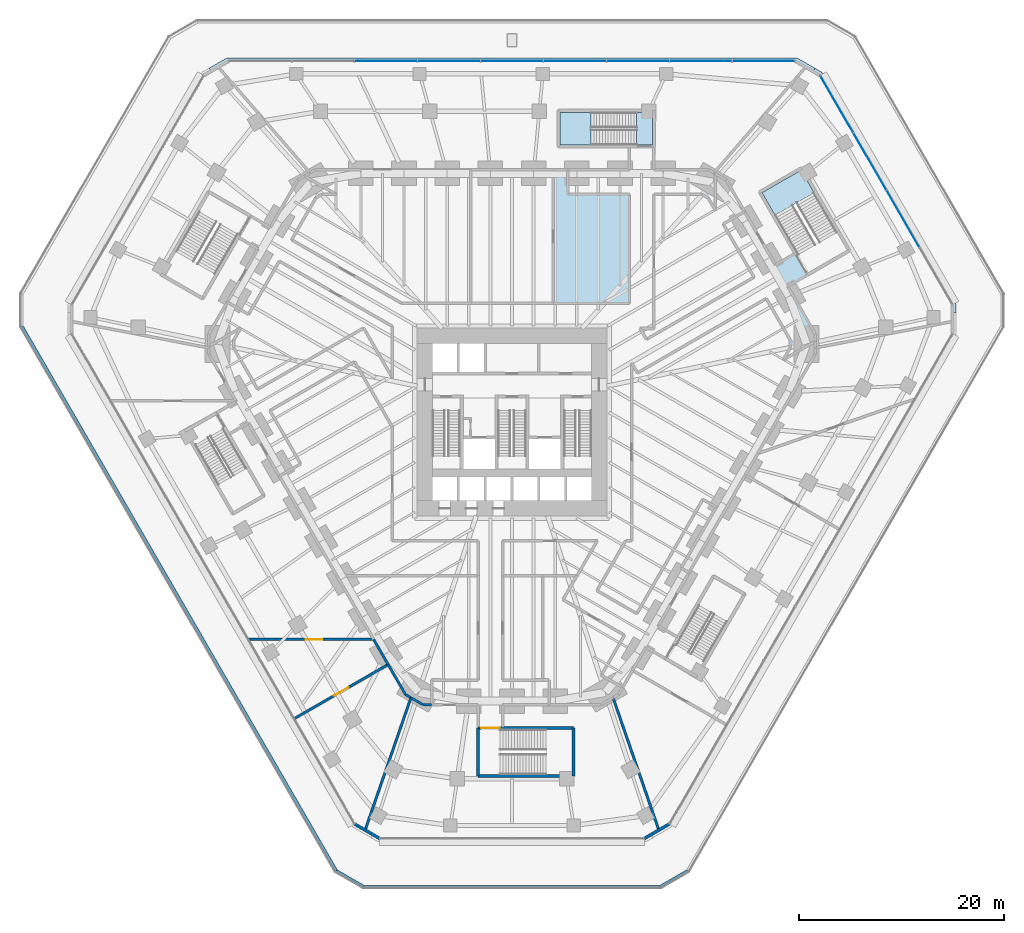
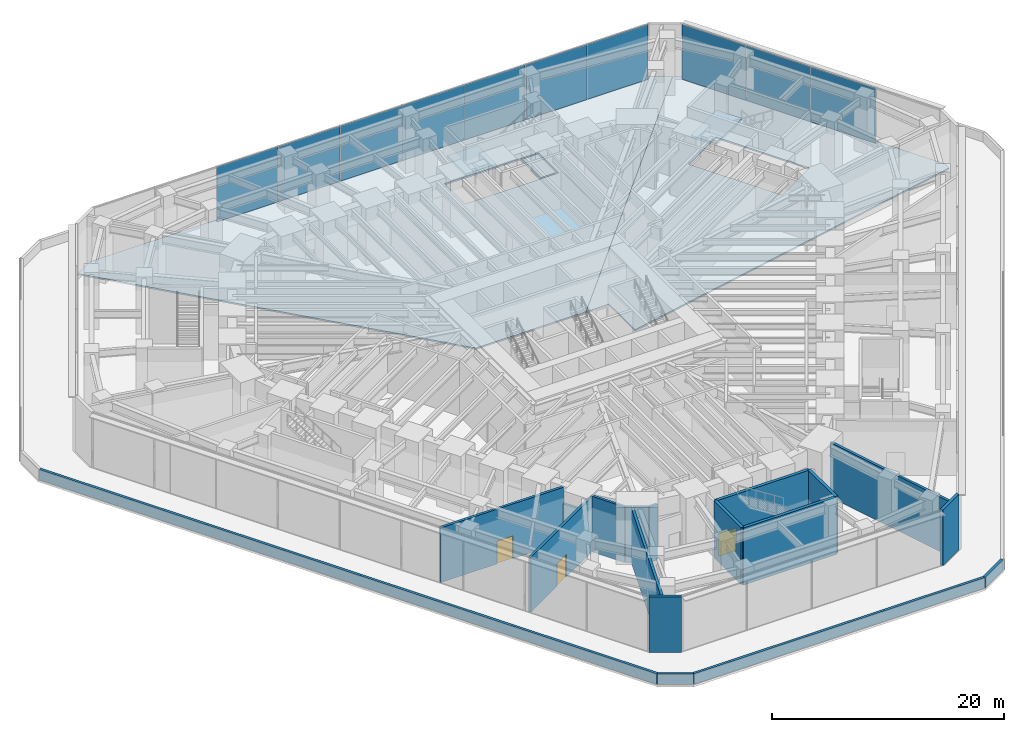
# One storey, part 14 of 25: 19 walls, 10 plates, 5 slabs, 3 doors, 3 openings, 4 elements without a shape of their own.
"""IFC4 building model written with IfcOpenShell, lengths in metres."""

from ifc_helpers import new_model, si_unit, direction, frame, frame_2d, origin, origin_2d, place, context, subcontext, project, spatial, polyline, rectangle, outline, extrude, material, layer, layer_set, type_object, element, fill, aggregate, save


model = new_model("IFC4")

# Units and contexts
model_context = context("Model", 3, precision=1e-05, world=origin(), true_north=direction((0.0, 1.0)))
body_context = subcontext(model_context, "Body", "Model", "MODEL_VIEW")
ifc_project = project(units=[si_unit("LENGTHUNIT", "METRE"), si_unit("AREAUNIT", "SQUARE_METRE"), si_unit("VOLUMEUNIT", "CUBIC_METRE"), si_unit("PLANEANGLEUNIT", "RADIAN"), si_unit("MASSUNIT", "GRAM", prefix="KILO")], contexts=[model_context])

# Site, building, storey
site_placement = place(None, origin())
site = spatial("IfcSite", under=ifc_project, at=site_placement, CompositionType="ELEMENT")
building_placement = place(site_placement, origin())
building = spatial("IfcBuilding", under=site, at=building_placement, Name="Sandreach Pilgrim Tower", CompositionType="ELEMENT")
storey_placement = place(building_placement, frame((0.0, 0.0, 6.0)))
storey = spatial("IfcBuildingStorey", under=building, at=storey_placement, Name="L01", CompositionType="ELEMENT", Elevation=6.0)

# Curtain wall, plates
ifc_material_1 = material(Name="Aluminium framed curtain wall", Category="aluminium")
curtain_wall_type = type_object("IfcCurtainWallType", Name="Podium storefront curtain wall", PredefinedType="NOTDEFINED", material=ifc_material_1)
curtain_wall_1_placement = place(storey_placement, origin())
curtain_wall_1 = element("IfcCurtainWall", 1, at=curtain_wall_1_placement, inside=storey, type_object=curtain_wall_type, Name="CW-P L01 N", PredefinedType="NOTDEFINED")
ifc_material_2 = material(Name="Laminated safety insulating glass unit 10.76 laminated + 16 argon + 10.76 laminated", Category="glass")
ifc_layer_1 = layer(ifc_material_2, 0.0380859375)
ifc_layer_set_1 = layer_set([ifc_layer_1], Name="CW-P panel")
plate_type = type_object("IfcPlateType", Name="CW-P panel", PredefinedType="CURTAIN_PANEL", material=ifc_layer_set_1)
plate_1_placement = place(storey_placement, frame((-12.271240234375, 33.648193359375, 0.0), z_axis=(0.0, 0.0, 1.0), x_axis=(1.0, 0.0, 0.0)))
plate_1 = element("IfcPlate", 2, at=plate_1_placement, type_object=plate_type, Name="CW-P panel 3", PredefinedType="CURTAIN_PANEL", context=body_context, shape_type="SweptSolid", body=[
    extrude(rectangle(XDim=6.065673828125, YDim=0.0380859375, at=origin_2d()), origin(), (0.0, 0.0, 1.0), 5.77001953125),
])
plate_2_placement = place(storey_placement, frame((-6.135498046875, 33.648193359375, 0.0), z_axis=(0.0, 0.0, 1.0), x_axis=(1.0, 0.0, 0.0)))
plate_2 = element("IfcPlate", 3, at=plate_2_placement, type_object=plate_type, Name="CW-P panel 4", PredefinedType="CURTAIN_PANEL", context=body_context, shape_type="SweptSolid", body=[
    extrude(rectangle(XDim=6.065673828125, YDim=0.0380859375, at=origin_2d()), origin(), (0.0, 0.0, 1.0), 5.77001953125),
])
plate_3_placement = place(storey_placement, frame((0.0, 33.648193359375, 0.0), z_axis=(0.0, 0.0, 1.0), x_axis=(1.0, 0.0, 0.0)))
plate_3 = element("IfcPlate", 4, at=plate_3_placement, type_object=plate_type, Name="CW-P panel 5", PredefinedType="CURTAIN_PANEL", context=body_context, shape_type="SweptSolid", body=[
    extrude(rectangle(XDim=6.065673828125, YDim=0.0380859375, at=origin_2d()), origin(), (0.0, 0.0, 1.0), 5.77001953125),
])
plate_4_placement = place(storey_placement, frame((6.135498046875, 33.648193359375, 0.0), z_axis=(0.0, 0.0, 1.0), x_axis=(1.0, 0.0, 0.0)))
plate_4 = element("IfcPlate", 5, at=plate_4_placement, type_object=plate_type, Name="CW-P panel 6", PredefinedType="CURTAIN_PANEL", context=body_context, shape_type="SweptSolid", body=[
    extrude(rectangle(XDim=6.065673828125, YDim=0.0380859375, at=origin_2d()), origin(), (0.0, 0.0, 1.0), 5.77001953125),
])
plate_5_placement = place(storey_placement, frame((12.271240234375, 33.648193359375, 0.0), z_axis=(0.0, 0.0, 1.0), x_axis=(1.0, 0.0, 0.0)))
plate_5 = element("IfcPlate", 6, at=plate_5_placement, type_object=plate_type, Name="CW-P panel 7", PredefinedType="CURTAIN_PANEL", context=body_context, shape_type="SweptSolid", body=[
    extrude(rectangle(XDim=6.065673828125, YDim=0.0380859375, at=origin_2d()), origin(), (0.0, 0.0, 1.0), 5.77001953125),
])
plate_6_placement = place(storey_placement, frame((18.40673828125, 33.648193359375, 0.0), z_axis=(0.0, 0.0, 1.0), x_axis=(1.0, 0.0, 0.0)))
plate_6 = element("IfcPlate", 7, at=plate_6_placement, type_object=plate_type, Name="CW-P panel 8", PredefinedType="CURTAIN_PANEL", context=body_context, shape_type="SweptSolid", body=[
    extrude(rectangle(XDim=6.065673828125, YDim=0.0380859375, at=origin_2d()), origin(), (0.0, 0.0, 1.0), 5.77001953125),
])
plate_7_placement = place(storey_placement, frame((24.52490234375, 33.648193359375, 0.0), z_axis=(0.0, 0.0, 1.0), x_axis=(1.0, 0.0, 0.0)))
plate_7 = element("IfcPlate", 8, at=plate_7_placement, type_object=plate_type, Name="CW-P panel 9", PredefinedType="CURTAIN_PANEL", context=body_context, shape_type="SweptSolid", body=[
    extrude(rectangle(XDim=6.030517578125, YDim=0.0380859375, at=origin_2d()), origin(), (0.0, 0.0, 1.0), 5.77001953125),
])
aggregate(curtain_wall_1, [plate_1, plate_2, plate_3, plate_4, plate_5, plate_6, plate_7])

curtain_wall_2_placement = place(storey_placement, origin())
curtain_wall_2 = element("IfcCurtainWall", 9, at=curtain_wall_2_placement, inside=storey, type_object=curtain_wall_type, Name="CW-P L01 NE", PredefinedType="NOTDEFINED")
plate_8_placement = place(storey_placement, frame((31.65771484375, 29.43798828125, 0.0), z_axis=(0.0, 0.0, 1.0), x_axis=(0.5, -0.866025403784, 0.0)))
plate_8 = element("IfcPlate", 10, at=plate_8_placement, type_object=plate_type, Name="CW-P panel 1", PredefinedType="CURTAIN_PANEL", context=body_context, shape_type="SweptSolid", body=[
    extrude(rectangle(XDim=6.35009765625, YDim=0.0380859375, at=origin_2d()), origin(), (0.0, 0.0, 1.0), 5.77001953125),
])
plate_9_placement = place(storey_placement, frame((34.87646484375, 23.86279296875, 0.0), z_axis=(0.0, 0.0, 1.0), x_axis=(0.5, -0.866025403784, 0.0)))
plate_9 = element("IfcPlate", 11, at=plate_9_placement, type_object=plate_type, Name="CW-P panel 2", PredefinedType="CURTAIN_PANEL", context=body_context, shape_type="SweptSolid", body=[
    extrude(rectangle(XDim=6.385009765625, YDim=0.0380859375, at=origin_2d()), origin(), (0.0, 0.0, 1.0), 5.77001953125),
])
plate_10_placement = place(storey_placement, frame((38.10400390625, 18.2724609375, 0.0), z_axis=(0.0, 0.0, 1.0), x_axis=(0.5, -0.866025403784, 0.0)))
plate_10 = element("IfcPlate", 12, at=plate_10_placement, type_object=plate_type, Name="CW-P panel 3", PredefinedType="CURTAIN_PANEL", context=body_context, shape_type="SweptSolid", body=[
    extrude(rectangle(XDim=6.385009765625, YDim=0.0380859375, at=origin_2d()), origin(), (0.0, 0.0, 1.0), 5.77001953125),
])
aggregate(curtain_wall_2, [plate_8, plate_9, plate_10])

# Slabs
ifc_material_3 = material(Name="Concrete 8000 psi", Category="concrete")
ifc_layer_2 = layer(ifc_material_3, 0.159912109375)
ifc_layer_set_2 = layer_set([ifc_layer_2], Name="Composite floor slab 160")
slab_type_1 = type_object("IfcSlabType", Name="Composite floor slab 160", PredefinedType="FLOOR", material=ifc_layer_set_2)
slab_1_placement = place(storey_placement, frame((0.0, 0.0, -0.159912109375)))
element("IfcSlab", 13, at=slab_1_placement, inside=storey, type_object=slab_type_1, Name="Floor slab L01 N sector", PredefinedType="FLOOR", context=body_context, shape_type="SweptSolid", body=[
    extrude(outline(polyline([(-27.783447265625, 33.9482421875), (27.783447265625, 33.9482421875), (29.5615234375, 32.921630859375), (5.477294921875, 6.10009765625), (-5.477294921875, 6.10009765625), (-29.5615234375, 32.921630859375), (-27.783447265625, 33.9482421875)]), holes=[polyline([(4.52978515625, 25.298583984375), (13.829833984375, 25.298583984375), (13.829833984375, 28.798583984375), (4.52978515625, 28.798583984375), (4.52978515625, 25.298583984375)])]), origin(), (0.0, 0.0, 1.0), 0.159912109375),
])
slab_2_placement = place(storey_placement, frame((0.0, 0.0, -0.159912109375)))
element("IfcSlab", 14, at=slab_2_placement, inside=storey, type_object=slab_type_1, Name="Floor slab L01 NE sector", PredefinedType="FLOOR", context=body_context, shape_type="SweptSolid", body=[
    extrude(outline(polyline([(30.208251953125, 32.548095703125), (43.291748046875, 9.886962890625), (43.291748046875, 9.140380859375), (7.75, 1.63623046875), (7.75, 6.10009765625), (5.477294921875, 6.10009765625), (29.5615234375, 32.921630859375), (30.208251953125, 32.548095703125)]), holes=[polyline([(24.164794921875, 20.866943359375), (28.81494140625, 12.81298828125), (32.88525390625, 15.162841796875), (28.235107421875, 23.216796875), (24.164794921875, 20.866943359375)])]), origin(), (0.0, 0.0, 1.0), 0.159912109375),
])

# Stair, slab
ifc_material_4 = material(Name="Concrete 8000 psi", Category="concrete")
stair_type_1 = type_object("IfcStairType", Name="Podium exit stair", PredefinedType="HALF_TURN_STAIR", material=ifc_material_4)
stair_1_placement = place(storey_placement, origin())
stair_1 = element("IfcStair", 15, at=stair_1_placement, inside=storey, type_object=stair_type_1, Name="Exit stair ST4 L01", PredefinedType="HALF_TURN_STAIR")
ifc_material_5 = material(Name="Concrete 8000 psi", Category="concrete")
ifc_layer_3 = layer(ifc_material_5, 0.25)
ifc_layer_set_3 = layer_set([ifc_layer_3], Name="Podium stair landing 250")
slab_type_2 = type_object("IfcSlabType", Name="Podium stair landing 250", PredefinedType="LANDING", material=ifc_layer_set_3)
slab_3_placement = place(storey_placement, frame((0.0, 0.0, 2.75)))
slab_3 = element("IfcSlab", 16, at=slab_3_placement, type_object=slab_type_2, Name="ST4 landing 2", PredefinedType="LANDING", context=body_context, shape_type="SweptSolid", body=[
    extrude(outline(polyline([(25.642333984375, 18.60791015625), (24.369873046875, 20.81201171875), (28.180419921875, 23.011962890625), (29.452880859375, 20.80810546875), (25.642333984375, 18.60791015625)])), origin(), (0.0, 0.0, 1.0), 0.25),
])
aggregate(stair_1, [slab_3])

# Stair, slabs
ifc_material_6 = material(Name="Concrete 8000 psi", Category="concrete")
stair_type_2 = type_object("IfcStairType", Name="Narrow podium exit stair", PredefinedType="HALF_TURN_STAIR", material=ifc_material_6)
stair_2_placement = place(storey_placement, origin())
stair_2 = element("IfcStair", 17, at=stair_2_placement, inside=storey, type_object=stair_type_2, Name="Exit stair ST7 L01", PredefinedType="HALF_TURN_STAIR")
slab_4_placement = place(storey_placement, frame((0.0, 0.0, -0.25)))
slab_4 = element("IfcSlab", 18, at=slab_4_placement, type_object=slab_type_2, Name="ST7 landing 1", PredefinedType="LANDING", context=body_context, shape_type="SweptSolid", body=[
    extrude(outline(polyline([(13.6796875, 25.44873046875), (12.15478515625, 25.44873046875), (12.15478515625, 28.648681640625), (13.6796875, 28.648681640625), (13.6796875, 25.44873046875)])), origin(), (0.0, 0.0, 1.0), 0.25),
])
slab_5_placement = place(storey_placement, frame((0.0, 0.0, 2.75)))
slab_5 = element("IfcSlab", 19, at=slab_5_placement, type_object=slab_type_2, Name="ST7 landing 2", PredefinedType="LANDING", context=body_context, shape_type="SweptSolid", body=[
    extrude(outline(polyline([(7.724853515625, 25.44873046875), (4.6796875, 25.44873046875), (4.6796875, 28.648681640625), (7.724853515625, 28.648681640625), (7.724853515625, 25.44873046875)])), origin(), (0.0, 0.0, 1.0), 0.25),
])
aggregate(stair_2, [slab_4, slab_5])

# Wall, opening, door
ifc_material_7 = material(Name="Acoustic gypsum board wall, double frame", Category="gypsum")
ifc_layer_4 = layer(ifc_material_7, 0.25)
ifc_layer_set_4 = layer_set([ifc_layer_4], Name="Hall partition 250")
wall_type_1 = type_object("IfcWallType", Name="Hall partition 250", PredefinedType="PARTITIONING", material=ifc_layer_set_4)
wall_1_placement = place(storey_placement, frame((-21.234130859375, -30.465087890625, 0.0), z_axis=(0.0, 0.0, 1.0), x_axis=(0.866022886878, 0.500004359385, 0.0)))
wall_1 = element("IfcWall", 20, at=wall_1_placement, inside=storey, type_object=wall_type_1, Name="Hall partition L01-025", PredefinedType="PARTITIONING", context=body_context, shape_type="SweptSolid", body=[
    extrude(rectangle(XDim=10.5703125, YDim=0.25, at=frame_2d((5.28515625, 0.0))), origin(), (0.0, 0.0, 1.0), 5.75),
])
opening_1_placement = place(wall_1_placement, frame((4.485107421875, 0.0, 0.0)))
opening_1 = element("IfcOpeningElement", 21, at=opening_1_placement, cuts=wall_1, Name="Opening D16-N1H", PredefinedType="OPENING", context=body_context, shape_type="SweptSolid", body=[
    extrude(rectangle(XDim=1.60009765625, YDim=2.39990234375, at=frame_2d((0.800048828125, 1.199951171875))), frame((0.0, 0.125, 0.0), z_axis=(0.0, -1.0, 0.0), x_axis=(1.0, 0.0, 0.0)), (0.0, 0.0, 1.0), 0.25),
])
ifc_material_8 = material(Name="Steel door and frame", Category="steel")
door_type_1 = type_object("IfcDoorType", Name="Hall double door", OperationType="DOUBLE_DOOR_SINGLE_SWING", PredefinedType="DOOR", material=ifc_material_8)
door_1_placement = place(opening_1_placement, origin())
door_1 = element("IfcDoor", 22, at=door_1_placement, inside=storey, type_object=door_type_1, Name="Door 01N1", OperationType="DOUBLE_DOOR_SINGLE_SWING", OverallHeight=2.39990234375, OverallWidth=1.60009765625, PredefinedType="DOOR", context=body_context, shape_type="SweptSolid", body=[
    extrude(rectangle(XDim=1.60009765625, YDim=2.39990234375, at=frame_2d((0.800048828125, 1.199951171875))), frame((0.0, 0.02490234375, 0.0), z_axis=(0.0, -1.0, 0.0), x_axis=(1.0, 0.0, 0.0)), (0.0, 0.0, 1.0), 0.050048828125),
])
fill(opening_1, door_1)

# Wall
wall_2_placement = place(storey_placement, frame((-14.3203125, -41.341552734375, 0.0), z_axis=(0.0, 0.0, 1.0), x_axis=(0.326937002365, 0.94504613458, 0.0)))
element("IfcWall", 23, at=wall_2_placement, inside=storey, type_object=wall_type_1, Name="Hall partition L01-037", PredefinedType="PARTITIONING", context=body_context, shape_type="SweptSolid", body=[
    extrude(rectangle(XDim=13.673095703125, YDim=0.25, at=frame_2d((6.83642578125, 0.0))), origin(), (0.0, 0.0, 1.0), 5.75),
])

# Wall, opening, door
wall_3_placement = place(storey_placement, frame((-13.489990234375, -22.72998046875, 0.0), z_axis=(0.0, 0.0, 1.0), x_axis=(-1.0, 0.0, 0.0)))
wall_3 = element("IfcWall", 24, at=wall_3_placement, inside=storey, type_object=wall_type_1, Name="Hall partition L01-038", PredefinedType="PARTITIONING", context=body_context, shape_type="SweptSolid", body=[
    extrude(rectangle(XDim=12.2099609375, YDim=0.25, at=frame_2d((6.10498046875, 0.0))), origin(), (0.0, 0.0, 1.0), 5.75),
])
opening_2_placement = place(wall_3_placement, frame((5.0048828125, 0.0, 0.0)))
opening_2 = element("IfcOpeningElement", 25, at=opening_2_placement, cuts=wall_3, Name="Opening D16-N2H", PredefinedType="OPENING", context=body_context, shape_type="SweptSolid", body=[
    extrude(rectangle(XDim=1.60009765625, YDim=2.39990234375, at=frame_2d((0.800048828125, 1.199951171875))), frame((0.0, 0.125, 0.0), z_axis=(0.0, -1.0, 0.0), x_axis=(1.0, 0.0, 0.0)), (0.0, 0.0, 1.0), 0.25),
])
door_2_placement = place(opening_2_placement, origin())
door_2 = element("IfcDoor", 26, at=door_2_placement, inside=storey, type_object=door_type_1, Name="Door 01N2", OperationType="DOUBLE_DOOR_SINGLE_SWING", OverallHeight=2.39990234375, OverallWidth=1.60009765625, PredefinedType="DOOR", context=body_context, shape_type="SweptSolid", body=[
    extrude(rectangle(XDim=1.60009765625, YDim=2.39990234375, at=frame_2d((0.800048828125, 1.199951171875))), frame((0.0, 0.02490234375, 0.0), z_axis=(0.0, -1.0, 0.0), x_axis=(1.0, 0.0, 0.0)), (0.0, 0.0, 1.0), 0.050048828125),
])
fill(opening_2, door_2)

# Walls
wall_4_placement = place(storey_placement, frame((-12.080078125, -25.179931640625, 0.0), z_axis=(0.0, 0.0, 1.0), x_axis=(-0.49878752461, 0.86672429601, 0.0)))
element("IfcWall", 27, at=wall_4_placement, inside=storey, type_object=wall_type_1, Name="Hall partition L01-040", PredefinedType="PARTITIONING", context=body_context, shape_type="SweptSolid", body=[
    extrude(rectangle(XDim=2.82666015625, YDim=0.25, at=frame_2d((1.413330078125, 0.0))), origin(), (0.0, 0.0, 1.0), 4.0400390625),
])
wall_5_placement = place(storey_placement, frame((-10.3798828125, -28.110107421875, 0.0), z_axis=(0.0, 0.0, 1.0), x_axis=(-0.500502105275, 0.86573531903, 0.0)))
element("IfcWall", 28, at=wall_5_placement, inside=storey, type_object=wall_type_1, Name="Hall partition L01-046", PredefinedType="PARTITIONING", context=body_context, shape_type="SweptSolid", body=[
    extrude(rectangle(XDim=3.3876953125, YDim=0.25, at=frame_2d((1.69384765625, 0.0))), origin(), (0.0, 0.0, 1.0), 5.840087890625),
])
wall_6_placement = place(storey_placement, frame((-10.3798828125, -28.110107421875, 0.0), z_axis=(0.0, 0.0, 1.0), x_axis=(0.865714845822, -0.5005375168, 0.0)))
element("IfcWall", 29, at=wall_6_placement, inside=storey, type_object=wall_type_1, Name="Hall partition L01-047", PredefinedType="PARTITIONING", context=body_context, shape_type="SweptSolid", body=[
    extrude(rectangle(XDim=0.578857421875, YDim=0.25, at=frame_2d((0.28955078125, 0.0))), origin(), (0.0, 0.0, 1.0), 5.840087890625),
])
wall_7_placement = place(storey_placement, frame((-8.64990234375, -29.110107421875, 0.0), z_axis=(0.0, 0.0, 1.0), x_axis=(-0.866883441829, 0.498510880807, 0.0)))
element("IfcWall", 30, at=wall_7_placement, inside=storey, type_object=wall_type_1, Name="Hall partition L01-048", PredefinedType="PARTITIONING", context=body_context, shape_type="SweptSolid", body=[
    extrude(rectangle(XDim=1.384521484375, YDim=0.25, at=frame_2d((0.6923828125, 0.0))), origin(), (0.0, 0.0, 1.0), 5.840087890625),
])
wall_8_placement = place(storey_placement, frame((-8.64990234375, -29.110107421875, 0.0), z_axis=(0.0, 0.0, 1.0), x_axis=(1.0, 0.0, 0.0)))
element("IfcWall", 31, at=wall_8_placement, inside=storey, type_object=wall_type_1, Name="Hall partition L01-049", PredefinedType="PARTITIONING", context=body_context, shape_type="SweptSolid", body=[
    extrude(rectangle(XDim=0.81982421875, YDim=0.25, at=frame_2d((0.409912109375, 0.0))), origin(), (0.0, 0.0, 1.0), 5.840087890625),
])
wall_9_placement = place(storey_placement, frame((9.85009765625, -28.419921875, 0.0), z_axis=(0.0, 0.0, 1.0), x_axis=(0.326921055124, -0.945051651349, 0.0)))
element("IfcWall", 32, at=wall_9_placement, inside=storey, type_object=wall_type_1, Name="Hall partition L01-083", PredefinedType="PARTITIONING", context=body_context, shape_type="SweptSolid", body=[
    extrude(rectangle(XDim=13.6728515625, YDim=0.25, at=frame_2d((6.83642578125, 0.0))), origin(), (0.0, 0.0, 1.0), 5.75),
])

# Wall, opening, door
ifc_material_9 = material(Name="Concrete 8000 psi", Category="concrete")
ifc_layer_5 = layer(ifc_material_9, 0.300048828125)
ifc_layer_set_5 = layer_set([ifc_layer_5], Name="Podium stair enclosure 300")
wall_type_2 = type_object("IfcWallType", Name="Podium stair enclosure 300", PredefinedType="SHEAR", material=ifc_layer_set_5)
wall_10_placement = place(storey_placement, frame((-3.311279296875, -31.36083984375, 0.0), z_axis=(0.0, 0.0, 1.0), x_axis=(1.0, 0.0, 0.0)))
wall_10 = element("IfcWall", 33, at=wall_10_placement, inside=storey, type_object=wall_type_2, Name="Stair ST5 enclosure L01 1", PredefinedType="SHEAR", context=body_context, shape_type="SweptSolid", body=[
    extrude(rectangle(XDim=9.300048828125, YDim=0.300048828125, at=frame_2d((4.64990234375, 0.0))), origin(), (0.0, 0.0, 1.0), 6.0),
])
opening_3_placement = place(wall_10_placement, frame((0.300048828125, 0.0, 0.0)))
opening_3 = element("IfcOpeningElement", 34, at=opening_3_placement, cuts=wall_10, Name="Opening D18S-ST5", PredefinedType="OPENING", context=body_context, shape_type="SweptSolid", body=[
    extrude(rectangle(XDim=1.800048828125, YDim=2.39990234375, at=frame_2d((0.89990234375, 1.199951171875))), frame((0.0, 0.14990234375, 0.0), z_axis=(0.0, -1.0, 0.0), x_axis=(1.0, 0.0, 0.0)), (0.0, 0.0, 1.0), 0.300048828125),
])
ifc_material_10 = material(Name="Steel door and frame", Category="steel")
door_type_2 = type_object("IfcDoorType", Name="Podium stair door", OperationType="DOUBLE_DOOR_SINGLE_SWING", PredefinedType="DOOR", material=ifc_material_10)
door_3_placement = place(opening_3_placement, origin())
door_3 = element("IfcDoor", 35, at=door_3_placement, inside=storey, type_object=door_type_2, Name="Stair door ST5 L01", OperationType="DOUBLE_DOOR_SINGLE_SWING", OverallHeight=2.39990234375, OverallWidth=1.800048828125, PredefinedType="DOOR", context=body_context, shape_type="SweptSolid", body=[
    extrude(rectangle(XDim=1.800048828125, YDim=2.39990234375, at=frame_2d((0.89990234375, 1.199951171875))), frame((0.0, 0.02490234375, 0.0), z_axis=(0.0, -1.0, 0.0), x_axis=(1.0, 0.0, 0.0)), (0.0, 0.0, 1.0), 0.050048828125),
])
fill(opening_3, door_3)

# Walls
wall_11_placement = place(storey_placement, frame((5.98876953125, -31.36083984375, 0.0), z_axis=(0.0, 0.0, 1.0), x_axis=(0.0, -1.0, 0.0)))
element("IfcWall", 36, at=wall_11_placement, inside=storey, type_object=wall_type_2, Name="Stair ST5 enclosure L01 2", PredefinedType="SHEAR", context=body_context, shape_type="SweptSolid", body=[
    extrude(rectangle(XDim=4.699951171875, YDim=0.300048828125, at=frame_2d((2.35009765625, 0.0))), origin(), (0.0, 0.0, 1.0), 6.0),
])
wall_12_placement = place(storey_placement, frame((5.98876953125, -36.060791015625, 0.0), z_axis=(0.0, 0.0, 1.0), x_axis=(-1.0, 0.0, 0.0)))
element("IfcWall", 37, at=wall_12_placement, inside=storey, type_object=wall_type_2, Name="Stair ST5 enclosure L01 3", PredefinedType="SHEAR", context=body_context, shape_type="SweptSolid", body=[
    extrude(rectangle(XDim=9.300048828125, YDim=0.300048828125, at=frame_2d((4.64990234375, 0.0))), origin(), (0.0, 0.0, 1.0), 6.0),
])
wall_13_placement = place(storey_placement, frame((-3.311279296875, -36.060791015625, 0.0), z_axis=(0.0, 0.0, 1.0), x_axis=(0.0, 1.0, 0.0)))
element("IfcWall", 38, at=wall_13_placement, inside=storey, type_object=wall_type_2, Name="Stair ST5 enclosure L01 4", PredefinedType="SHEAR", context=body_context, shape_type="SweptSolid", body=[
    extrude(rectangle(XDim=4.699951171875, YDim=0.300048828125, at=frame_2d((2.35009765625, 0.0))), origin(), (0.0, 0.0, 1.0), 6.0),
])
ifc_material_11 = material(Name="Concrete parapet with terracotta coping", Category="masonry")
ifc_layer_6 = layer(ifc_material_11, 0.25)
ifc_layer_set_6 = layer_set([ifc_layer_6], Name="Setback parapet")
wall_type_3 = type_object("IfcWallType", Name="Setback parapet", PredefinedType="PARAPET", material=ifc_layer_set_6)
wall_14_placement = place(storey_placement, frame((-47.781982421875, 7.822021484375, 0.0), z_axis=(0.0, 0.0, 1.0), x_axis=(0.499999154746, -0.866025891791, 0.0)))
element("IfcWall", 39, at=wall_14_placement, inside=storey, type_object=wall_type_3, Name="Setback parapet L01 4", PredefinedType="PARAPET", context=body_context, shape_type="SweptSolid", body=[
    extrude(rectangle(XDim=61.330078125, YDim=0.25, at=frame_2d((30.6650390625, 0.0))), origin(), (0.0, 0.0, 1.0), 1.10009765625),
])
wall_15_placement = place(storey_placement, frame((-17.116943359375, -45.29150390625, 0.0), z_axis=(0.0, 0.0, 1.0), x_axis=(0.865728948906, -0.500513123731, 0.0)))
element("IfcWall", 40, at=wall_15_placement, inside=storey, type_object=wall_type_3, Name="Setback parapet L01 5", PredefinedType="PARAPET", context=body_context, shape_type="SweptSolid", body=[
    extrude(rectangle(XDim=3.091064453125, YDim=0.25, at=frame_2d((1.54541015625, 0.0))), origin(), (0.0, 0.0, 1.0), 1.10009765625),
])
wall_16_placement = place(storey_placement, frame((-14.44091796875, -46.838623046875, 0.0), z_axis=(0.0, 0.0, 1.0), x_axis=(1.0, 0.0, 0.0)))
element("IfcWall", 41, at=wall_16_placement, inside=storey, type_object=wall_type_3, Name="Setback parapet L01 6", PredefinedType="PARAPET", context=body_context, shape_type="SweptSolid", body=[
    extrude(rectangle(XDim=28.8818359375, YDim=0.25, at=frame_2d((14.44091796875, 0.0))), origin(), (0.0, 0.0, 1.0), 1.10009765625),
])
wall_17_placement = place(storey_placement, frame((14.44091796875, -46.838623046875, 0.0), z_axis=(0.0, 0.0, 1.0), x_axis=(0.865728948906, 0.500513123731, 0.0)))
element("IfcWall", 42, at=wall_17_placement, inside=storey, type_object=wall_type_3, Name="Setback parapet L01 7", PredefinedType="PARAPET", context=body_context, shape_type="SweptSolid", body=[
    extrude(rectangle(XDim=3.091064453125, YDim=0.25, at=frame_2d((1.54541015625, 0.0))), origin(), (0.0, 0.0, 1.0), 1.10009765625),
])
ifc_material_12 = material(Name="Terracotta rainscreen on concrete", Category="masonry")
ifc_layer_7 = layer(ifc_material_12, 0.300048828125)
ifc_layer_set_7 = layer_set([ifc_layer_7], Name="Terracotta chamfer pier")
wall_type_4 = type_object("IfcWallType", Name="Terracotta chamfer pier", PredefinedType="SOLIDWALL", material=ifc_layer_set_7)
for number, where, z_axis, x_axis, name in (
    (43, (15.335205078125, -40.7353515625, 0.0), (0.0, 0.0, 1.0), (-0.866056369097, -0.49994636267, 0.0), "Chamfer pier L01 SE"),
    (44, (-12.91015625, -42.13525390625, 0.0), (0.0, 0.0, 1.0), (-0.866056369097, 0.49994636267, 0.0), "Chamfer pier L01 S"),
):
    element("IfcWall", number, at=place(storey_placement, frame(where, z_axis=z_axis, x_axis=x_axis)), inside=storey, type_object=wall_type_4, Name=name, PredefinedType="SOLIDWALL", context=body_context, shape_type="SweptSolid", body=[
        extrude(rectangle(XDim=2.800048828125, YDim=0.300048828125, at=frame_2d((1.39990234375, 0.0))), origin(), (0.0, 0.0, 1.0), 5.840087890625),
    ])

save(model, "model.ifc")
